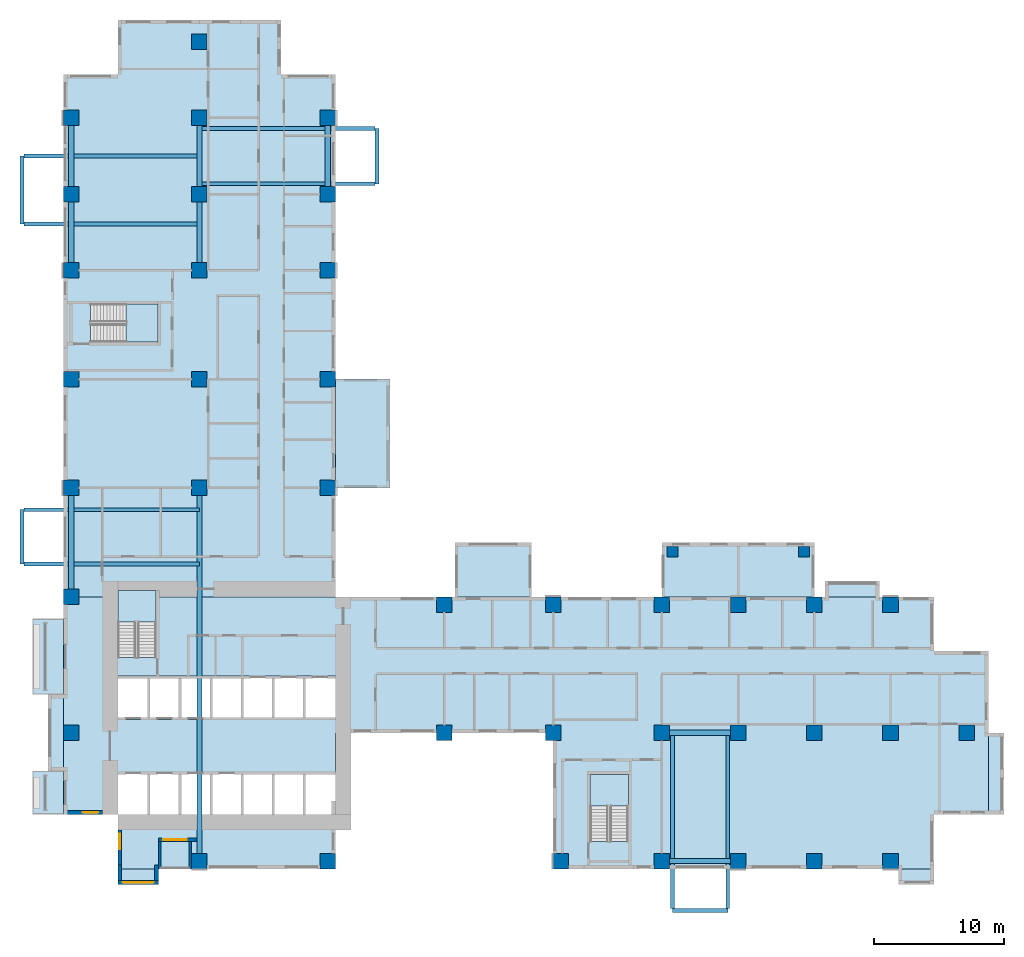
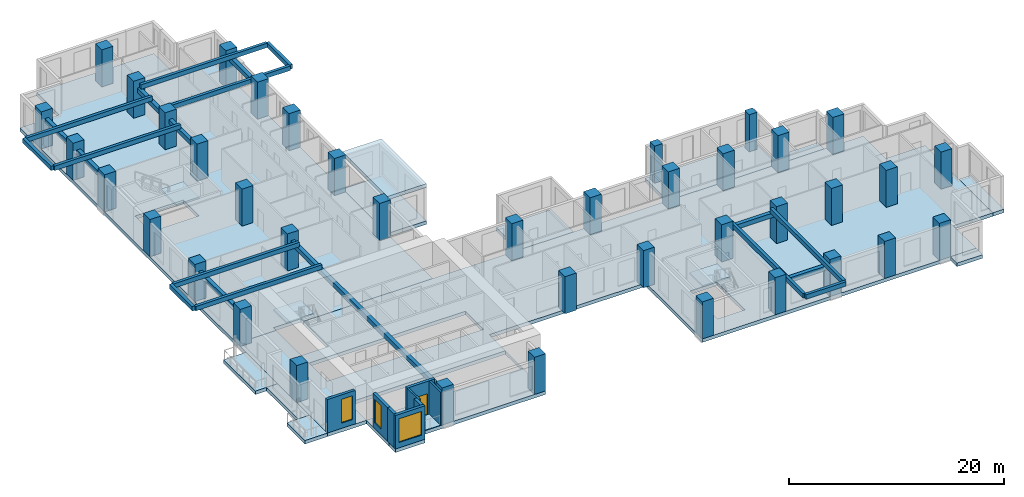
# One storey, part 1 of 14: 40 columns, 21 beams, 17 slabs, 8 walls, 3 windows, 1 door, 4 openings, 3 elements without a shape of their own.
"""IFC4 building model written with IfcOpenShell, lengths in metres."""

from ifc_helpers import new_model, si_unit, direction, frame, frame_2d, origin, origin_2d, place, context, subcontext, project, spatial, polyline, rectangle, outline, extrude, source, transform, mapped, material, layer, layer_set, material_profile, profile_set, type_object, element, fill, aggregate, save


model = new_model("IFC4")

# Units and contexts
model_context = context("Model", 3, precision=1e-05, world=origin(), true_north=direction((0.0, 1.0)))
body_context = subcontext(model_context, "Body", "Model", "MODEL_VIEW")
ifc_project = project(units=[si_unit("LENGTHUNIT", "METRE"), si_unit("AREAUNIT", "SQUARE_METRE"), si_unit("VOLUMEUNIT", "CUBIC_METRE"), si_unit("PLANEANGLEUNIT", "RADIAN"), si_unit("MASSUNIT", "GRAM", prefix="KILO")], contexts=[model_context])

# Site, building, storey
site_placement = place(None, origin())
site = spatial("IfcSite", under=ifc_project, at=site_placement, CompositionType="ELEMENT")
building_placement = place(site_placement, origin())
building = spatial("IfcBuilding", under=site, at=building_placement, Name="Aurelian Terraces", CompositionType="ELEMENT")
storey_placement = place(building_placement, frame((0.0, 0.0, 53.1)))
storey = spatial("IfcBuildingStorey", under=building, at=storey_placement, Name="L10", CompositionType="ELEMENT", Elevation=53.1)

# Columns
ifc_material_1 = material(Name="Concrete fc' 55 MPa", Category="concrete")
ifc_material_profile_1 = material_profile(ifc_material_1, rectangle(XDim=0.84, YDim=0.84, at=origin_2d()))
ifc_profile_set_1 = profile_set([ifc_material_profile_1], Name="Concrete fc' 55 MPa")
column_type_1 = type_object("IfcColumnType", Name="BLOCK CORNER PIER 840X840", PredefinedType="COLUMN", material=ifc_profile_set_1)
column_1_placement = place(storey_placement, frame((47.0, 24.48, 0.0), z_axis=(0.0, 0.0, 1.0), x_axis=(1.0, 0.0, 0.0)))
element("IfcColumn", 1, at=column_1_placement, inside=storey, type_object=column_type_1, Name="Block pier K01.1 L10", PredefinedType="COLUMN", context=body_context, shape_type="SweptSolid", body=[
    extrude(rectangle(XDim=0.84, YDim=0.84, at=origin_2d()), origin(), (0.0, 0.0, 1.0), 4.2),
])
ifc_material_2 = material(Name="Concrete fc' 83 MPa", Category="concrete")
ifc_material_profile_2 = material_profile(ifc_material_2, rectangle(XDim=1.2, YDim=1.2, at=origin_2d()))
ifc_profile_set_2 = profile_set([ifc_material_profile_2], Name="Concrete fc' 83 MPa")
column_type_2 = type_object("IfcColumnType", Name="RC COLUMN 1200X1200 FC83", PredefinedType="COLUMN", material=ifc_profile_set_2)
shared_shape_1 = source(origin(), body_context, "Body", "SweptSolid", [
    extrude(rectangle(XDim=1.2, YDim=1.2, at=origin_2d()), origin(), (0.0, 0.0, 1.0), 4.2),
])
for number, where, z_axis, x_axis, name in (
    (2, (10.5, 0.6, 0.0), (0.0, 0.0, 1.0), (1.0, 0.0, 0.0), "Column 2/A L10"),
    (3, (20.4, 0.6, 0.0), (0.0, 0.0, 1.0), (1.0, 0.0, 0.0), "Column 3/A L10"),
    (4, (38.4, 0.6, 0.0), (0.0, 0.0, 1.0), (1.0, 0.0, 0.0), "Column 5/A L10"),
    (5, (46.2, 0.6, 0.0), (0.0, 0.0, 1.0), (1.0, 0.0, 0.0), "Column 6/A L10"),
    (6, (52.08, 0.6, 0.0), (0.0, 0.0, 1.0), (1.0, 0.0, 0.0), "Column 7/A L10"),
    (7, (57.96, 0.6, 0.0), (0.0, 0.0, 1.0), (1.0, 0.0, 0.0), "Column 8/A L10"),
    (8, (63.84, 0.6, 0.0), (0.0, 0.0, 1.0), (1.0, 0.0, 0.0), "Column 9/A L10"),
    (9, (0.6, 10.5, 0.0), (0.0, 0.0, 1.0), (1.0, 0.0, 0.0), "Column 1/B L10"),
    (10, (29.4, 10.5, 0.0), (0.0, 0.0, 1.0), (1.0, 0.0, 0.0), "Column 4/B L10"),
    (11, (37.8, 10.5, 0.0), (0.0, 0.0, 1.0), (1.0, 0.0, 0.0), "Column 5/B L10"),
    (12, (46.2, 10.5, 0.0), (0.0, 0.0, 1.0), (1.0, 0.0, 0.0), "Column 6/B L10"),
    (13, (52.08, 10.5, 0.0), (0.0, 0.0, 1.0), (1.0, 0.0, 0.0), "Column 7/B L10"),
    (14, (57.96, 10.5, 0.0), (0.0, 0.0, 1.0), (1.0, 0.0, 0.0), "Column 8/B L10"),
    (15, (63.84, 10.5, 0.0), (0.0, 0.0, 1.0), (1.0, 0.0, 0.0), "Column 9/B L10"),
    (16, (69.72, 10.5, 0.0), (0.0, 0.0, 1.0), (1.0, 0.0, 0.0), "Column 10/B L10"),
    (17, (0.6, 21.0, 0.0), (0.0, 0.0, 1.0), (1.0, 0.0, 0.0), "Column 1/C L10"),
    (18, (29.4, 20.4, 0.0), (0.0, 0.0, 1.0), (1.0, 0.0, 0.0), "Column 4/C L10"),
    (19, (37.8, 20.4, 0.0), (0.0, 0.0, 1.0), (1.0, 0.0, 0.0), "Column 5/C L10"),
    (20, (46.2, 20.4, 0.0), (0.0, 0.0, 1.0), (1.0, 0.0, 0.0), "Column 6/C L10"),
    (21, (52.08, 20.4, 0.0), (0.0, 0.0, 1.0), (1.0, 0.0, 0.0), "Column 7/C L10"),
    (22, (57.96, 20.4, 0.0), (0.0, 0.0, 1.0), (1.0, 0.0, 0.0), "Column 8/C L10"),
    (23, (63.84, 20.4, 0.0), (0.0, 0.0, 1.0), (1.0, 0.0, 0.0), "Column 9/C L10"),
    (24, (0.6, 29.4, 0.0), (0.0, 0.0, 1.0), (1.0, 0.0, 0.0), "Column 1/D L10"),
    (25, (10.5, 29.4, 0.0), (0.0, 0.0, 1.0), (1.0, 0.0, 0.0), "Column 2/D L10"),
    (26, (20.4, 29.4, 0.0), (0.0, 0.0, 1.0), (1.0, 0.0, 0.0), "Column 3/D L10"),
    (27, (0.6, 37.8, 0.0), (0.0, 0.0, 1.0), (1.0, 0.0, 0.0), "Column 1/E L10"),
    (28, (10.5, 37.8, 0.0), (0.0, 0.0, 1.0), (1.0, 0.0, 0.0), "Column 2/E L10"),
    (29, (20.4, 37.8, 0.0), (0.0, 0.0, 1.0), (1.0, 0.0, 0.0), "Column 3/E L10"),
    (30, (0.6, 46.2, 0.0), (0.0, 0.0, 1.0), (1.0, 0.0, 0.0), "Column 1/F L10"),
    (31, (10.5, 46.2, 0.0), (0.0, 0.0, 1.0), (1.0, 0.0, 0.0), "Column 2/F L10"),
    (32, (20.4, 46.2, 0.0), (0.0, 0.0, 1.0), (1.0, 0.0, 0.0), "Column 3/F L10"),
    (33, (0.6, 52.08, 0.0), (0.0, 0.0, 1.0), (1.0, 0.0, 0.0), "Column 1/G L10"),
    (34, (10.5, 52.08, 0.0), (0.0, 0.0, 1.0), (1.0, 0.0, 0.0), "Column 2/G L10"),
    (35, (20.4, 52.08, 0.0), (0.0, 0.0, 1.0), (1.0, 0.0, 0.0), "Column 3/G L10"),
    (36, (0.6, 57.96, 0.0), (0.0, 0.0, 1.0), (1.0, 0.0, 0.0), "Column 1/H L10"),
    (37, (10.5, 57.96, 0.0), (0.0, 0.0, 1.0), (1.0, 0.0, 0.0), "Column 2/H L10"),
    (38, (20.4, 57.96, 0.0), (0.0, 0.0, 1.0), (1.0, 0.0, 0.0), "Column 3/H L10"),
    (39, (10.5, 63.84, 0.0), (0.0, 0.0, 1.0), (1.0, 0.0, 0.0), "Column 2/I L10"),
):
    element("IfcColumn", number, at=place(storey_placement, frame(where, z_axis=z_axis, x_axis=x_axis)), inside=storey, type_object=column_type_2, Name=name, PredefinedType="COLUMN", context=body_context, shape_type="MappedRepresentation", body=[
        mapped(shared_shape_1, transform((0.0, 0.0, 0.0), scale=1.0)),
    ])
shared_shape_2 = source(origin(), body_context, "Body", "SweptSolid", [
    extrude(rectangle(XDim=0.84, YDim=0.84, at=origin_2d()), origin(), (0.0, 0.0, 1.0), 4.2),
])
column_2_placement = place(storey_placement, frame((57.16, 24.48, 0.0), z_axis=(0.0, 0.0, 1.0), x_axis=(1.0, 0.0, 0.0)))
element("IfcColumn", 40, at=column_2_placement, inside=storey, type_object=column_type_1, Name="Block pier K01.2 L10", PredefinedType="COLUMN", context=body_context, shape_type="MappedRepresentation", body=[
    mapped(shared_shape_2, transform((0.0, 0.0, 0.0), scale=1.0)),
])

# Beams
ifc_material_3 = material(Name="Concrete fc' 40 MPa", Category="concrete")
ifc_material_profile_3 = material_profile(ifc_material_3, rectangle(XDim=0.4, YDim=0.5, at=origin_2d()))
ifc_profile_set_3 = profile_set([ifc_material_profile_3], Name="Concrete fc' 40 MPa")
beam_type_1 = type_object("IfcBeamType", Name="CONCRETE EDGE GIRDER 400X500", PredefinedType="BEAM", material=ifc_profile_set_3)
shared_shape_3 = source(origin(), body_context, "Body", "SweptSolid", [
    extrude(rectangle(XDim=0.4, YDim=0.5, at=origin_2d()), origin(), (0.0, 0.0, 1.0), 4.68),
])
for number, where, z_axis, x_axis, name in (
    (41, (46.8, 0.6, 3.05), (1.0, 0.0, 0.0), (0.0, 1.0, 0.0), "Box girder L10 O14"),
    (42, (46.8, 10.5, 3.05), (1.0, 0.0, 0.0), (0.0, 1.0, 0.0), "Box girder L10 I15"),
    (43, (20.4, 52.68, 3.05), (0.0, 1.0, 0.0), (-1.0, 0.0, 0.0), "Box girder L10 O16"),
    (44, (10.5, 52.68, 3.05), (0.0, 1.0, 0.0), (-1.0, 0.0, 0.0), "Box girder L10 I17"),
    (45, (0.6, 46.8, 3.05), (0.0, 1.0, 0.0), (-1.0, 0.0, 0.0), "Box girder L10 O20"),
    (46, (0.6, 52.68, 3.05), (0.0, 1.0, 0.0), (-1.0, 0.0, 0.0), "Box girder L10 O21"),
    (47, (10.5, 46.8, 3.05), (0.0, 1.0, 0.0), (-1.0, 0.0, 0.0), "Box girder L10 I22"),
):
    element("IfcBeam", number, at=place(storey_placement, frame(where, z_axis=z_axis, x_axis=x_axis)), inside=storey, type_object=beam_type_1, Name=name, PredefinedType="BEAM", context=body_context, shape_type="MappedRepresentation", body=[
        mapped(shared_shape_3, transform((0.0, 0.0, 0.0), scale=1.0)),
    ])
ifc_material_profile_4 = material_profile(ifc_material_3, rectangle(XDim=0.3, YDim=0.5, at=origin_2d()))
ifc_profile_set_4 = profile_set([ifc_material_profile_4], Name="Concrete fc' 40 MPa")
beam_type_2 = type_object("IfcBeamType", Name="CONCRETE CANTILEVER BEAM 300X500", PredefinedType="BEAM", material=ifc_profile_set_4)
shared_shape_4 = source(origin(), body_context, "Body", "SweptSolid", [
    extrude(rectangle(XDim=0.3, YDim=0.5, at=origin_2d()), origin(), (0.0, 0.0, 1.0), 13.55),
])
for number, where, z_axis, x_axis, name in (
    (48, (47.0, -3.05, 3.55), (0.0, 1.0, 0.0), (-1.0, 0.0, 0.0), "Box cantilever beam J07.1"),
    (49, (51.28, -3.05, 3.55), (0.0, 1.0, 0.0), (-1.0, 0.0, 0.0), "Box cantilever beam J07.2"),
    (50, (24.05, 52.88, 3.55), (-1.0, 0.0, 0.0), (0.0, -1.0, 0.0), "Box cantilever beam J08.1"),
    (51, (24.05, 57.16, 3.55), (-1.0, 0.0, 0.0), (0.0, -1.0, 0.0), "Box cantilever beam J08.2"),
    (52, (-3.05, 23.52, 3.55), (1.0, 0.0, 0.0), (0.0, 1.0, 0.0), "Box cantilever beam J09.1"),
    (53, (-3.05, 27.72, 3.55), (1.0, 0.0, 0.0), (0.0, 1.0, 0.0), "Box cantilever beam J09.2"),
    (54, (-3.05, 49.77, 3.55), (1.0, 0.0, 0.0), (0.0, 1.0, 0.0), "Box cantilever beam J10.1"),
    (55, (-3.05, 55.02, 3.55), (1.0, 0.0, 0.0), (0.0, 1.0, 0.0), "Box cantilever beam J10.2"),
):
    element("IfcBeam", number, at=place(storey_placement, frame(where, z_axis=z_axis, x_axis=x_axis)), inside=storey, type_object=beam_type_2, Name=name, PredefinedType="BEAM", context=body_context, shape_type="MappedRepresentation", body=[
        mapped(shared_shape_4, transform((0.0, 0.0, 0.0), scale=1.0)),
    ])
shared_shape_5 = source(origin(), body_context, "Body", "SweptSolid", [
    extrude(rectangle(XDim=0.3, YDim=0.5, at=origin_2d()), origin(), (0.0, 0.0, 1.0), 4.28),
])
for number, where, z_axis, x_axis, name in (
    (56, (47.0, -3.2, 3.55), (1.0, 0.0, 0.0), (0.0, 1.0, 0.0), "Box tip beam J07"),
    (57, (24.2, 52.88, 3.55), (0.0, 1.0, 0.0), (-1.0, 0.0, 0.0), "Box tip beam J08"),
):
    element("IfcBeam", number, at=place(storey_placement, frame(where, z_axis=z_axis, x_axis=x_axis)), inside=storey, type_object=beam_type_2, Name=name, PredefinedType="BEAM", context=body_context, shape_type="MappedRepresentation", body=[
        mapped(shared_shape_5, transform((0.0, 0.0, 0.0), scale=1.0)),
    ])
shared_shape_6 = source(origin(), body_context, "Body", "SweptSolid", [
    extrude(rectangle(XDim=0.4, YDim=0.5, at=origin_2d()), origin(), (0.0, 0.0, 1.0), 7.2),
])
beam_1_placement = place(storey_placement, frame((0.6, 21.6, 3.05), z_axis=(0.0, 1.0, 0.0), x_axis=(-1.0, 0.0, 0.0)))
element("IfcBeam", 58, at=beam_1_placement, inside=storey, type_object=beam_type_1, Name="Box girder L10 O18", PredefinedType="BEAM", context=body_context, shape_type="MappedRepresentation", body=[
    mapped(shared_shape_6, transform((0.0, 0.0, 0.0), scale=1.0)),
])
shared_shape_7 = source(origin(), body_context, "Body", "SweptSolid", [
    extrude(rectangle(XDim=0.4, YDim=0.5, at=origin_2d()), origin(), (0.0, 0.0, 1.0), 27.6),
])
beam_2_placement = place(storey_placement, frame((10.5, 1.2, 3.05), z_axis=(0.0, 1.0, 0.0), x_axis=(-1.0, 0.0, 0.0)))
element("IfcBeam", 59, at=beam_2_placement, inside=storey, type_object=beam_type_1, Name="Box girder L10 I19", PredefinedType="BEAM", context=body_context, shape_type="MappedRepresentation", body=[
    mapped(shared_shape_7, transform((0.0, 0.0, 0.0), scale=1.0)),
])
shared_shape_8 = source(origin(), body_context, "Body", "SweptSolid", [
    extrude(rectangle(XDim=0.3, YDim=0.5, at=origin_2d()), origin(), (0.0, 0.0, 1.0), 4.2),
])
beam_3_placement = place(storey_placement, frame((-3.2, 23.52, 3.55), z_axis=(0.0, 1.0, 0.0), x_axis=(-1.0, 0.0, 0.0)))
element("IfcBeam", 60, at=beam_3_placement, inside=storey, type_object=beam_type_2, Name="Box tip beam J09", PredefinedType="BEAM", context=body_context, shape_type="MappedRepresentation", body=[
    mapped(shared_shape_8, transform((0.0, 0.0, 0.0), scale=1.0)),
])
shared_shape_9 = source(origin(), body_context, "Body", "SweptSolid", [
    extrude(rectangle(XDim=0.3, YDim=0.5, at=origin_2d()), origin(), (0.0, 0.0, 1.0), 5.25),
])
beam_4_placement = place(storey_placement, frame((-3.2, 49.77, 3.55), z_axis=(0.0, 1.0, 0.0), x_axis=(-1.0, 0.0, 0.0)))
element("IfcBeam", 61, at=beam_4_placement, inside=storey, type_object=beam_type_2, Name="Box tip beam J10", PredefinedType="BEAM", context=body_context, shape_type="MappedRepresentation", body=[
    mapped(shared_shape_9, transform((0.0, 0.0, 0.0), scale=1.0)),
])

# Slabs
ifc_layer_1 = layer(ifc_material_3, 0.4)
ifc_layer_set_1 = layer_set([ifc_layer_1], Name="Bay floor 400")
slab_type_1 = type_object("IfcSlabType", Name="Bay floor 400", PredefinedType="NOTDEFINED", material=ifc_layer_set_1)
slab_1_placement = place(storey_placement, frame((0.0, 0.0, -0.4)))
element("IfcSlab", 62, at=slab_1_placement, inside=storey, type_object=slab_type_1, Name="Bay floor L10 F08.17", PredefinedType="NOTDEFINED", context=body_context, shape_type="SweptSolid", body=[
    extrude(outline(polyline([(71.4, 4.2), (71.4, 10.5), (72.6, 10.5), (72.6, 4.2), (71.4, 4.2)])), origin(), (0.0, 0.0, 1.0), 0.4),
])
ifc_layer_2 = layer(ifc_material_3, 0.41)
ifc_layer_set_2 = layer_set([ifc_layer_2], Name="Box floor 410")
slab_type_2 = type_object("IfcSlabType", Name="Box floor 410", PredefinedType="NOTDEFINED", material=ifc_layer_set_2)
slab_2_placement = place(storey_placement, frame((0.0, 0.0, -0.41)))
element("IfcSlab", 63, at=slab_2_placement, inside=storey, type_object=slab_type_2, Name="Box floor L10 J06", PredefinedType="NOTDEFINED", context=body_context, shape_type="SweptSolid", body=[
    extrude(outline(polyline([(36.12, 25.2), (30.24, 25.2), (30.24, 21.0), (36.12, 21.0), (36.12, 25.2)])), origin(), (0.0, 0.0, 1.0), 0.41),
])
ifc_layer_3 = layer(ifc_material_3, 0.4)
ifc_layer_set_3 = layer_set([ifc_layer_3], Name="Box roof 400")
slab_type_3 = type_object("IfcSlabType", Name="Box roof 400", PredefinedType="ROOF", material=ifc_layer_set_3)
slab_3_placement = place(storey_placement, frame((0.0, 0.0, 3.8)))
element("IfcSlab", 64, at=slab_3_placement, inside=storey, type_object=slab_type_3, Name="Box roof J05", PredefinedType="ROOF", context=body_context, shape_type="SweptSolid", body=[
    extrude(outline(polyline([(25.2, 29.4), (25.2, 37.8), (21.0, 37.8), (21.0, 29.4), (25.2, 29.4)])), origin(), (0.0, 0.0, 1.0), 0.4),
])
ifc_layer_4 = layer(ifc_material_3, 0.4)
ifc_layer_set_4 = layer_set([ifc_layer_4], Name="PT FLAT PLATE 400")
slab_type_4 = type_object("IfcSlabType", Name="PT FLAT PLATE 400", PredefinedType="FLOOR", material=ifc_layer_set_4)
shared_shape_10 = source(origin(), body_context, "Body", "SweptSolid", [
    extrude(outline(polyline([(7.14, 21.0), (7.14, 21.49), (4.21, 21.49), (4.21, 21.0), (0.0, 21.0), (0.0, 61.32), (4.2, 61.32), (4.2, 65.52), (16.8, 65.52), (16.8, 61.32), (21.0, 61.32), (21.0, 21.0), (7.14, 21.0)]), holes=[polyline([(7.29, 43.59), (2.11, 43.59), (2.11, 40.66), (7.29, 40.66), (7.29, 43.59)])]), origin(), (0.0, 0.0, 1.0), 0.4),
])
slab_4_placement = place(storey_placement, frame((0.0, 0.0, -0.4)))
element("IfcSlab", 65, at=slab_4_placement, inside=storey, type_object=slab_type_4, Name="Floor slab W L10", PredefinedType="FLOOR", context=body_context, shape_type="MappedRepresentation", body=[
    mapped(shared_shape_10, transform((0.0, 0.0, 0.0), scale=1.0)),
])
shared_shape_11 = source(origin(), body_context, "Body", "SweptSolid", [
    extrude(outline(polyline([(71.4, 16.8), (71.4, 4.2), (67.2, 4.2), (67.2, 0.0), (37.8, 0.0), (37.8, 10.5), (21.0, 10.5), (21.0, 0.0), (4.2, 0.0), (4.2, 4.2), (0.0, 4.2), (0.0, 21.0), (4.21, 21.0), (4.21, 16.31), (7.14, 16.31), (7.14, 21.0), (21.0, 21.0), (67.2, 21.0), (67.2, 16.8), (71.4, 16.8)]), holes=[polyline([(40.66, 2.11), (43.59, 2.11), (43.59, 7.29), (40.66, 7.29), (40.66, 2.11)]), polyline([(4.21, 7.49), (4.21, 4.21), (20.99, 4.21), (20.99, 7.49), (4.21, 7.49)]), polyline([(4.21, 14.89), (4.21, 11.51), (20.99, 11.51), (20.99, 14.89), (4.21, 14.89)])]), origin(), (0.0, 0.0, 1.0), 0.4),
])
slab_5_placement = place(storey_placement, frame((0.0, 0.0, -0.4)))
element("IfcSlab", 66, at=slab_5_placement, inside=storey, type_object=slab_type_4, Name="Floor slab S L10", PredefinedType="FLOOR", context=body_context, shape_type="MappedRepresentation", body=[
    mapped(shared_shape_11, transform((0.0, 0.0, 0.0), scale=1.0)),
])
shared_shape_12 = source(origin(), body_context, "Body", "SweptSolid", [
    extrude(outline(polyline([(63.0, 21.0), (58.8, 21.0), (58.8, 22.2), (63.0, 22.2), (63.0, 21.0)])), origin(), (0.0, 0.0, 1.0), 0.4),
])
slab_6_placement = place(storey_placement, frame((0.0, 0.0, -0.4)))
element("IfcSlab", 67, at=slab_6_placement, inside=storey, type_object=slab_type_1, Name="Bay floor L10 F11.22", PredefinedType="NOTDEFINED", context=body_context, shape_type="MappedRepresentation", body=[
    mapped(shared_shape_12, transform((0.0, 0.0, 0.0), scale=1.0)),
])
ifc_layer_5 = layer(ifc_material_3, 0.4)
ifc_layer_set_5 = layer_set([ifc_layer_5], Name="Balcony slab 400")
slab_type_5 = type_object("IfcSlabType", Name="Balcony slab 400", PredefinedType="NOTDEFINED", material=ifc_layer_set_5)
shared_shape_13 = source(origin(), body_context, "Body", "SweptSolid", [
    extrude(outline(polyline([(0.0, 19.32), (0.0, 13.44), (-2.4, 13.44), (-2.4, 19.32), (0.0, 19.32)])), origin(), (0.0, 0.0, 1.0), 0.4),
])
slab_7_placement = place(storey_placement, frame((0.0, 0.0, -0.4)))
element("IfcSlab", 68, at=slab_7_placement, inside=storey, type_object=slab_type_5, Name="Balcony slab L10 F18.40", PredefinedType="NOTDEFINED", context=body_context, shape_type="MappedRepresentation", body=[
    mapped(shared_shape_13, transform((0.0, 0.0, 0.0), scale=1.0)),
])
shared_shape_14 = source(origin(), body_context, "Body", "SweptSolid", [
    extrude(outline(polyline([(0.0, 7.56), (0.0, 4.2), (-2.4, 4.2), (-2.4, 7.56), (0.0, 7.56)])), origin(), (0.0, 0.0, 1.0), 0.4),
])
slab_8_placement = place(storey_placement, frame((0.0, 0.0, -0.4)))
element("IfcSlab", 69, at=slab_8_placement, inside=storey, type_object=slab_type_5, Name="Balcony slab L10 F18.42", PredefinedType="NOTDEFINED", context=body_context, shape_type="MappedRepresentation", body=[
    mapped(shared_shape_14, transform((0.0, 0.0, 0.0), scale=1.0)),
])
shared_shape_15 = source(origin(), body_context, "Body", "SweptSolid", [
    extrude(outline(polyline([(25.2, 29.4), (25.2, 37.8), (21.0, 37.8), (21.0, 29.4), (25.2, 29.4)])), origin(), (0.0, 0.0, 1.0), 0.41),
])
slab_9_placement = place(storey_placement, frame((0.0, 0.0, -0.41)))
element("IfcSlab", 70, at=slab_9_placement, inside=storey, type_object=slab_type_2, Name="Box floor L10 J05", PredefinedType="NOTDEFINED", context=body_context, shape_type="MappedRepresentation", body=[
    mapped(shared_shape_15, transform((0.0, 0.0, 0.0), scale=1.0)),
])
shared_shape_16 = source(origin(), body_context, "Body", "SweptSolid", [
    extrude(outline(polyline([(57.96, 25.2), (46.2, 25.2), (46.2, 21.0), (57.96, 21.0), (57.96, 25.2)])), origin(), (0.0, 0.0, 1.0), 0.41),
])
slab_10_placement = place(storey_placement, frame((0.0, 0.0, -0.41)))
element("IfcSlab", 71, at=slab_10_placement, inside=storey, type_object=slab_type_2, Name="Box floor L10 K01", PredefinedType="NOTDEFINED", context=body_context, shape_type="MappedRepresentation", body=[
    mapped(shared_shape_16, transform((0.0, 0.0, 0.0), scale=1.0)),
])
shared_shape_17 = source(origin(), body_context, "Body", "SweptSolid", [
    extrude(outline(polyline([(4.2, 0.0), (7.35, 0.0), (7.35, -1.2), (4.2, -1.2), (4.2, 0.0)])), origin(), (0.0, 0.0, 1.0), 0.4),
])
slab_11_placement = place(storey_placement, frame((0.0, 0.0, -0.4)))
element("IfcSlab", 72, at=slab_11_placement, inside=storey, type_object=slab_type_1, Name="Bay floor L10 F01.1", PredefinedType="NOTDEFINED", context=body_context, shape_type="MappedRepresentation", body=[
    mapped(shared_shape_17, transform((0.0, 0.0, 0.0), scale=1.0)),
])
ifc_material_4 = material(Name="Granite paving", Category="masonry")
ifc_layer_6 = layer(ifc_material_4, 0.05)
ifc_layer_set_6 = layer_set([ifc_layer_6], Name="Loggia paving 50")
slab_type_6 = type_object("IfcSlabType", Name="Loggia paving 50", PredefinedType="NOTDEFINED", material=ifc_layer_set_6)
shared_shape_18 = source(origin(), body_context, "Body", "SweptSolid", [
    extrude(outline(polyline([(7.55, 0.0), (9.7, 0.0), (9.7, 2.1), (7.55, 2.1), (7.55, 0.0)])), origin(), (0.0, 0.0, 1.0), 0.05),
])
slab_12_placement = place(storey_placement, origin())
element("IfcSlab", 73, at=slab_12_placement, inside=storey, type_object=slab_type_6, Name="Loggia floor L10 F01.2", PredefinedType="NOTDEFINED", context=body_context, shape_type="MappedRepresentation", body=[
    mapped(shared_shape_18, transform((0.0, 0.0, 0.0), scale=1.0)),
])
shared_shape_19 = source(origin(), body_context, "Body", "SweptSolid", [
    extrude(outline(polyline([(64.44, 0.0), (67.2, 0.0), (67.2, -1.2), (64.44, -1.2), (64.44, 0.0)])), origin(), (0.0, 0.0, 1.0), 0.4),
])
slab_13_placement = place(storey_placement, frame((0.0, 0.0, -0.4)))
element("IfcSlab", 74, at=slab_13_placement, inside=storey, type_object=slab_type_1, Name="Bay floor L10 F05.13", PredefinedType="NOTDEFINED", context=body_context, shape_type="MappedRepresentation", body=[
    mapped(shared_shape_19, transform((0.0, 0.0, 0.0), scale=1.0)),
])
shared_shape_20 = source(origin(), body_context, "Body", "SweptSolid", [
    extrude(outline(polyline([(0.0, 13.44), (0.0, 7.56), (-1.2, 7.56), (-1.2, 13.44), (0.0, 13.44)])), origin(), (0.0, 0.0, 1.0), 0.4),
])
slab_14_placement = place(storey_placement, frame((0.0, 0.0, -0.4)))
element("IfcSlab", 75, at=slab_14_placement, inside=storey, type_object=slab_type_1, Name="Bay floor L10 F18.41", PredefinedType="NOTDEFINED", context=body_context, shape_type="MappedRepresentation", body=[
    mapped(shared_shape_20, transform((0.0, 0.0, 0.0), scale=1.0)),
])

# Stair, slab
stair_type = type_object("IfcStairType", Name="Stair 1400", PredefinedType="HALF_TURN_STAIR", material=ifc_material_3)
stair_1_placement = place(storey_placement, origin())
stair_1 = element("IfcStair", 76, at=stair_1_placement, inside=storey, type_object=stair_type, Name="L10 S1", PredefinedType="HALF_TURN_STAIR")
ifc_layer_7 = layer(ifc_material_3, 0.2)
ifc_layer_set_7 = layer_set([ifc_layer_7], Name="Stair landing 200")
slab_type_7 = type_object("IfcSlabType", Name="Stair landing 200", PredefinedType="LANDING", material=ifc_layer_set_7)
shared_shape_21 = source(origin(), body_context, "Body", "SweptSolid", [
    extrude(outline(polyline([(7.15, 19.05), (7.15, 21.5), (4.2, 21.5), (4.2, 19.05), (7.15, 19.05)])), origin(), (0.0, 0.0, 1.0), 0.2),
])
slab_15_placement = place(storey_placement, frame((0.0, 0.0, 1.9)))
slab_15 = element("IfcSlab", 77, at=slab_15_placement, type_object=slab_type_7, Name="S1 landing 1", PredefinedType="LANDING", context=body_context, shape_type="MappedRepresentation", body=[
    mapped(shared_shape_21, transform((0.0, 0.0, 0.0), scale=1.0)),
])
aggregate(stair_1, [slab_15])

stair_2_placement = place(storey_placement, origin())
stair_2 = element("IfcStair", 78, at=stair_2_placement, inside=storey, type_object=stair_type, Name="L10 S2", PredefinedType="HALF_TURN_STAIR")
shared_shape_22 = source(origin(), body_context, "Body", "SweptSolid", [
    extrude(outline(polyline([(43.6, 4.85), (43.6, 7.3), (40.65, 7.3), (40.65, 4.85), (43.6, 4.85)])), origin(), (0.0, 0.0, 1.0), 0.2),
])
slab_16_placement = place(storey_placement, frame((0.0, 0.0, 1.9)))
slab_16 = element("IfcSlab", 79, at=slab_16_placement, type_object=slab_type_7, Name="S2 landing 1", PredefinedType="LANDING", context=body_context, shape_type="MappedRepresentation", body=[
    mapped(shared_shape_22, transform((0.0, 0.0, 0.0), scale=1.0)),
])
aggregate(stair_2, [slab_16])

stair_3_placement = place(storey_placement, origin())
stair_3 = element("IfcStair", 80, at=stair_3_placement, inside=storey, type_object=stair_type, Name="L10 S3", PredefinedType="HALF_TURN_STAIR")
shared_shape_23 = source(origin(), body_context, "Body", "SweptSolid", [
    extrude(outline(polyline([(4.85, 40.65), (7.3, 40.65), (7.3, 43.6), (4.85, 43.6), (4.85, 40.65)])), origin(), (0.0, 0.0, 1.0), 0.2),
])
slab_17_placement = place(storey_placement, frame((0.0, 0.0, 1.9)))
slab_17 = element("IfcSlab", 81, at=slab_17_placement, type_object=slab_type_7, Name="S3 landing 1", PredefinedType="LANDING", context=body_context, shape_type="MappedRepresentation", body=[
    mapped(shared_shape_23, transform((0.0, 0.0, 0.0), scale=1.0)),
])
aggregate(stair_3, [slab_17])

# Wall, opening, door
ifc_material_5 = material(Name="Terracotta rainscreen cladding", Category="masonry")
ifc_layer_8 = layer(ifc_material_5, 0.3)
ifc_layer_set_8 = layer_set([ifc_layer_8], Name="EW-300")
wall_type_1 = type_object("IfcWallType", Name="EW-300", PredefinedType="STANDARD", material=ifc_layer_set_8)
wall_1_placement = place(storey_placement, frame((7.35, 2.25, 0.0), z_axis=(0.0, 0.0, 1.0), x_axis=(1.0, 0.0, 0.0)))
wall_1 = element("IfcWall", 82, at=wall_1_placement, inside=storey, type_object=wall_type_1, Name="Loggia wall L10 F01.2", PredefinedType="STANDARD", context=body_context, shape_type="SweptSolid", body=[
    extrude(rectangle(XDim=2.95, YDim=0.3, at=frame_2d((1.475, 0.0))), origin(), (0.0, 0.0, 1.0), 3.8),
])
shared_shape_24 = source(origin(), body_context, "Body", "SweptSolid", [
    extrude(rectangle(XDim=1.8, YDim=2.4, at=frame_2d((0.9, 1.2))), frame((0.0, 0.16, 0.0), z_axis=(0.0, -1.0, 0.0), x_axis=(1.0, 0.0, 0.0)), (0.0, 0.0, 1.0), 0.32),
])
opening_1_placement = place(wall_1_placement, frame((0.375, 0.0, 0.0)))
opening_1 = element("IfcOpeningElement", 83, at=opening_1_placement, cuts=wall_1, Name="Opening 81001", PredefinedType="OPENING", context=body_context, shape_type="MappedRepresentation", body=[
    mapped(shared_shape_24, transform((0.0, 0.0, 0.0), scale=1.0)),
])
ifc_material_6 = material(Name="Clear glazing", Category="glass")
door_type = type_object("IfcDoorType", Name="BD-1800x2400", OperationType="SLIDING_TO_LEFT", PredefinedType="DOOR", material=ifc_material_6)
shared_shape_25 = source(origin(), body_context, "Body", "SweptSolid", [
    extrude(rectangle(XDim=1.8, YDim=2.4, at=frame_2d((0.9, 1.2))), frame((0.0, 0.025, 0.0), z_axis=(0.0, -1.0, 0.0), x_axis=(1.0, 0.0, 0.0)), (0.0, 0.0, 1.0), 0.05),
])
door_placement = place(opening_1_placement, origin())
door = element("IfcDoor", 84, at=door_placement, inside=storey, type_object=door_type, Name="Balcony door L10 F01.2", OperationType="SLIDING_TO_LEFT", OverallHeight=2.4, OverallWidth=1.8, PredefinedType="DOOR", context=body_context, shape_type="MappedRepresentation", body=[
    mapped(shared_shape_25, transform((0.0, 0.0, 0.0), scale=1.0)),
])
fill(opening_1, door)

# Wall, opening, window
shared_shape_26 = source(origin(), body_context, "Body", "SweptSolid", [
    extrude(rectangle(XDim=3.15, YDim=0.3, at=frame_2d((1.575, 0.0))), origin(), (0.0, 0.0, 1.0), 3.8),
])
wall_2_placement = place(storey_placement, frame((4.2, -1.05, 0.0), z_axis=(0.0, 0.0, 1.0), x_axis=(1.0, 0.0, 0.0)))
wall_2 = element("IfcWall", 85, at=wall_2_placement, inside=storey, type_object=wall_type_1, Name="Bay wall L10 F01.1", PredefinedType="STANDARD", context=body_context, shape_type="MappedRepresentation", body=[
    mapped(shared_shape_26, transform((0.0, 0.0, 0.0), scale=1.0)),
])
shared_shape_27 = source(origin(), body_context, "Body", "SweptSolid", [
    extrude(rectangle(XDim=2.4, YDim=2.7, at=frame_2d((1.2, 1.35))), frame((0.0, 0.16, 0.0), z_axis=(0.0, -1.0, 0.0), x_axis=(1.0, 0.0, 0.0)), (0.0, 0.0, 1.0), 0.32),
])
opening_2_placement = place(wall_2_placement, frame((0.375, 0.0, 0.6)))
opening_2 = element("IfcOpeningElement", 86, at=opening_2_placement, cuts=wall_2, Name="Opening W2427", PredefinedType="OPENING", context=body_context, shape_type="MappedRepresentation", body=[
    mapped(shared_shape_27, transform((0.0, 0.0, 0.0), scale=1.0)),
])
window_type_1 = type_object("IfcWindowType", Name="W-2400x2700", PartitioningType="SINGLE_PANEL", PredefinedType="WINDOW", material=ifc_material_6)
shared_shape_28 = source(origin(), body_context, "Body", "SweptSolid", [
    extrude(rectangle(XDim=2.4, YDim=2.7, at=frame_2d((1.2, 1.35))), frame((0.0, 0.03, 0.0), z_axis=(0.0, -1.0, 0.0), x_axis=(1.0, 0.0, 0.0)), (0.0, 0.0, 1.0), 0.06),
])
window_1_placement = place(opening_2_placement, origin())
window_1 = element("IfcWindow", 87, at=window_1_placement, inside=storey, type_object=window_type_1, Name="Window L10 L10-F01-01-0", OverallHeight=2.7, OverallWidth=2.4, PartitioningType="SINGLE_PANEL", PredefinedType="WINDOW", context=body_context, shape_type="MappedRepresentation", body=[
    mapped(shared_shape_28, transform((0.0, 0.0, 0.0), scale=1.0)),
])
fill(opening_2, window_1)

# Walls
shared_shape_29 = source(origin(), body_context, "Body", "SweptSolid", [
    extrude(rectangle(XDim=1.2, YDim=0.3, at=frame_2d((0.6, 0.0))), origin(), (0.0, 0.0, 1.0), 3.8),
])
for number, where, z_axis, x_axis, name in (
    (88, (4.35, 0.3, 0.0), (0.0, 0.0, 1.0), (0.0, -1.0, 0.0), "Bay return L10 F01.1.1"),
    (89, (7.2, 0.3, 0.0), (0.0, 0.0, 1.0), (0.0, -1.0, 0.0), "Bay return L10 F01.1.2"),
):
    element("IfcWall", number, at=place(storey_placement, frame(where, z_axis=z_axis, x_axis=x_axis)), inside=storey, type_object=wall_type_1, Name=name, PredefinedType="STANDARD", context=body_context, shape_type="MappedRepresentation", body=[
        mapped(shared_shape_29, transform((0.0, 0.0, 0.0), scale=1.0)),
    ])
ifc_layer_9 = layer(ifc_material_5, 0.2)
ifc_layer_set_9 = layer_set([ifc_layer_9], Name="EW-200")
wall_type_2 = type_object("IfcWallType", Name="EW-200", PredefinedType="STANDARD", material=ifc_layer_set_9)
shared_shape_30 = source(origin(), body_context, "Body", "SweptSolid", [
    extrude(rectangle(XDim=2.1, YDim=0.2, at=frame_2d((1.05, 0.0))), origin(), (0.0, 0.0, 1.0), 3.8),
])
for number, where, z_axis, x_axis, name in (
    (90, (7.45, 0.0, 0.0), (0.0, 0.0, 1.0), (0.0, 1.0, 0.0), "Loggia return L10 F01.2.1"),
    (91, (9.8, 0.0, 0.0), (0.0, 0.0, 1.0), (0.0, 1.0, 0.0), "Loggia return L10 F01.2.2"),
):
    element("IfcWall", number, at=place(storey_placement, frame(where, z_axis=z_axis, x_axis=x_axis)), inside=storey, type_object=wall_type_2, Name=name, PredefinedType="STANDARD", context=body_context, shape_type="MappedRepresentation", body=[
        mapped(shared_shape_30, transform((0.0, 0.0, 0.0), scale=1.0)),
    ])

# Wall, opening, window
shared_shape_31 = source(origin(), body_context, "Body", "SweptSolid", [
    extrude(rectangle(XDim=3.0, YDim=0.3, at=frame_2d((1.5, 0.0))), origin(), (0.0, 0.0, 1.0), 3.8),
])
wall_3_placement = place(storey_placement, frame((0.0, 4.35, 0.0), z_axis=(0.0, 0.0, 1.0), x_axis=(1.0, 0.0, 0.0)))
wall_3 = element("IfcWall", 92, at=wall_3_placement, inside=storey, type_object=wall_type_1, Name="External wall L10 F19.43", PredefinedType="STANDARD", context=body_context, shape_type="MappedRepresentation", body=[
    mapped(shared_shape_31, transform((0.0, 0.0, 0.0), scale=1.0)),
])
shared_shape_32 = source(origin(), body_context, "Body", "SweptSolid", [
    extrude(rectangle(XDim=1.2, YDim=2.7, at=frame_2d((0.6, 1.35))), frame((0.0, 0.16, 0.0), z_axis=(0.0, -1.0, 0.0), x_axis=(1.0, 0.0, 0.0)), (0.0, 0.0, 1.0), 0.32),
])
opening_3_placement = place(wall_3_placement, frame((1.5, 0.0, 0.6)))
opening_3 = element("IfcOpeningElement", 93, at=opening_3_placement, cuts=wall_3, Name="Opening W1227", PredefinedType="OPENING", context=body_context, shape_type="MappedRepresentation", body=[
    mapped(shared_shape_32, transform((0.0, 0.0, 0.0), scale=1.0)),
])
window_type_2 = type_object("IfcWindowType", Name="W-1200x2700", PartitioningType="SINGLE_PANEL", PredefinedType="WINDOW", material=ifc_material_6)
shared_shape_33 = source(origin(), body_context, "Body", "SweptSolid", [
    extrude(rectangle(XDim=1.2, YDim=2.7, at=frame_2d((0.6, 1.35))), frame((0.0, 0.03, 0.0), z_axis=(0.0, -1.0, 0.0), x_axis=(1.0, 0.0, 0.0)), (0.0, 0.0, 1.0), 0.06),
])
window_2_placement = place(opening_3_placement, origin())
window_2 = element("IfcWindow", 94, at=window_2_placement, inside=storey, type_object=window_type_2, Name="Window L10 L10-F19-43-0", OverallHeight=2.7, OverallWidth=1.2, PartitioningType="SINGLE_PANEL", PredefinedType="WINDOW", context=body_context, shape_type="MappedRepresentation", body=[
    mapped(shared_shape_33, transform((0.0, 0.0, 0.0), scale=1.0)),
])
fill(opening_3, window_2)

wall_4_placement = place(storey_placement, frame((4.35, 3.0, 0.0), z_axis=(0.0, 0.0, 1.0), x_axis=(0.0, -1.0, 0.0)))
wall_4 = element("IfcWall", 95, at=wall_4_placement, inside=storey, type_object=wall_type_1, Name="External wall L10 F20.44", PredefinedType="STANDARD", context=body_context, shape_type="MappedRepresentation", body=[
    mapped(shared_shape_31, transform((0.0, 0.0, 0.0), scale=1.0)),
])
opening_4_placement = place(wall_4_placement, frame((0.3, 0.0, 0.6)))
opening_4 = element("IfcOpeningElement", 96, at=opening_4_placement, cuts=wall_4, Name="Opening W1227", PredefinedType="OPENING", context=body_context, shape_type="MappedRepresentation", body=[
    mapped(shared_shape_32, transform((0.0, 0.0, 0.0), scale=1.0)),
])
window_3_placement = place(opening_4_placement, origin())
window_3 = element("IfcWindow", 97, at=window_3_placement, inside=storey, type_object=window_type_2, Name="Window L10 L10-F20-44-0", OverallHeight=2.7, OverallWidth=1.2, PartitioningType="SINGLE_PANEL", PredefinedType="WINDOW", context=body_context, shape_type="MappedRepresentation", body=[
    mapped(shared_shape_33, transform((0.0, 0.0, 0.0), scale=1.0)),
])
fill(opening_4, window_3)

save(model, "model.ifc")
